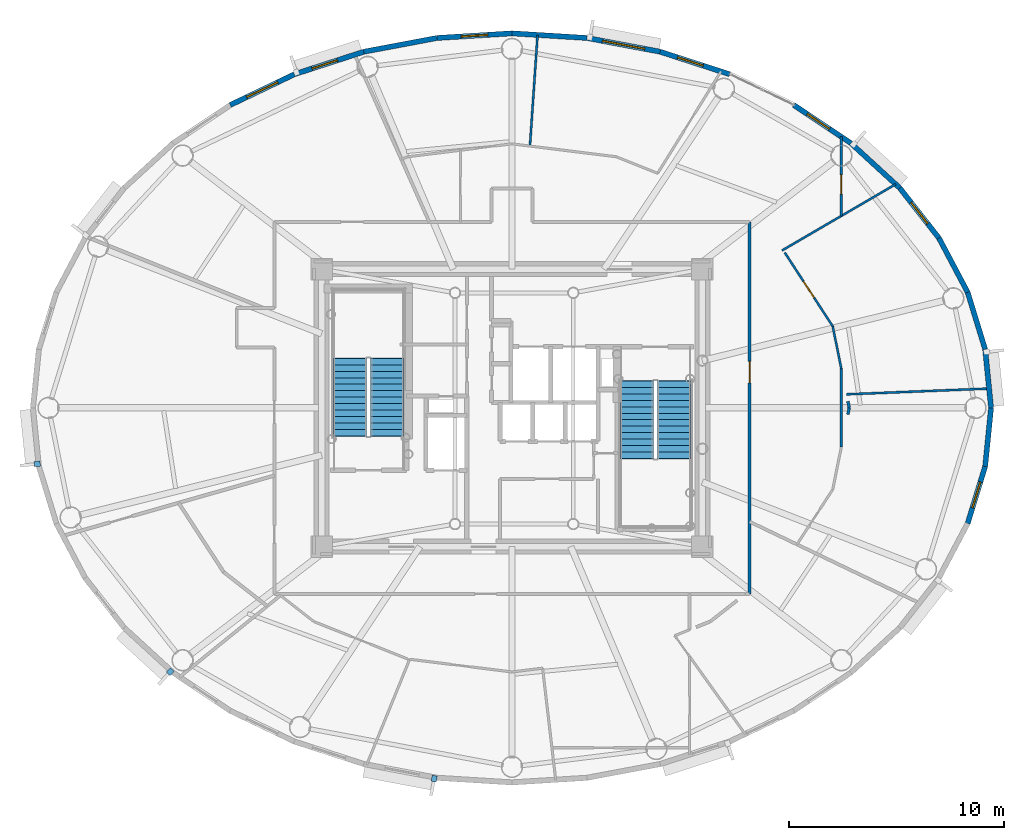
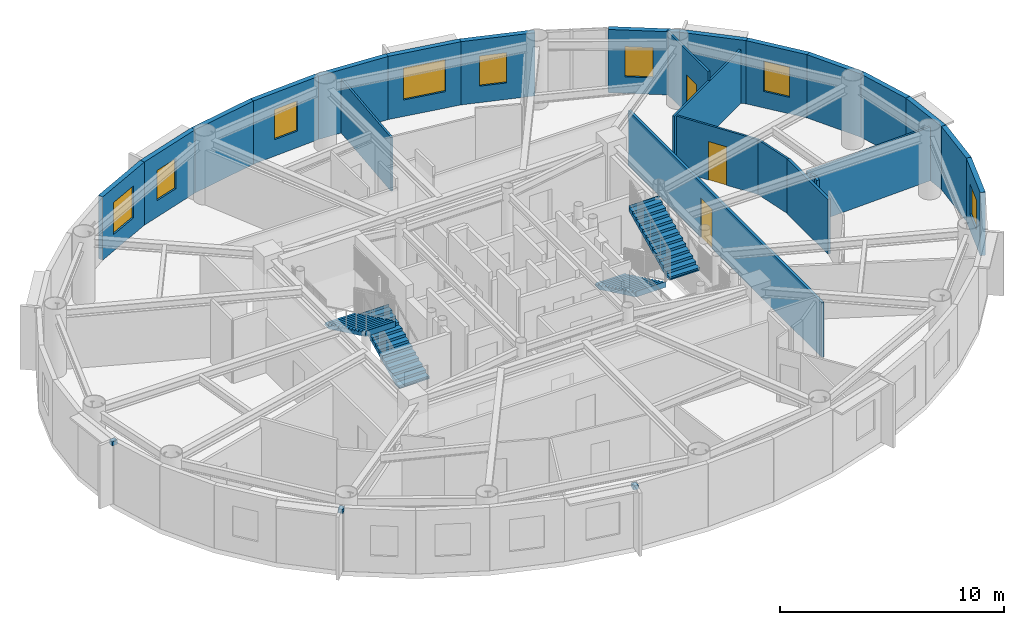
# One storey, part 10 of 17: 25 walls, 8 windows, 4 stair flights, 3 discrete accessories, 3 doors, 11 openings, 2 elements without a shape of their own.
"""IFC4 building model written with IfcOpenShell, lengths in metres."""

from ifc_helpers import new_model, si_unit, direction, frame, frame_2d, origin, origin_2d, place, context, subcontext, project, spatial, polyline, rectangle, outline, extrude, source, transform, mapped, material, layer, layer_set, type_object, element, fill, aggregate, save


model = new_model("IFC4")

# Units and contexts
model_context = context("Model", 3, precision=1e-05, world=origin(), true_north=direction((0.0, 1.0)))
body_context = subcontext(model_context, "Body", "Model", "MODEL_VIEW")
ifc_project = project(units=[si_unit("LENGTHUNIT", "METRE"), si_unit("AREAUNIT", "SQUARE_METRE"), si_unit("VOLUMEUNIT", "CUBIC_METRE"), si_unit("PLANEANGLEUNIT", "RADIAN"), si_unit("MASSUNIT", "GRAM", prefix="KILO")], contexts=[model_context])

# Site, building, storey
site_placement = place(None, origin())
site = spatial("IfcSite", under=ifc_project, at=site_placement, CompositionType="ELEMENT")
building_placement = place(site_placement, origin())
building = spatial("IfcBuilding", under=site, at=building_placement, Name="Linh Dai School and Residence Tower", CompositionType="ELEMENT")
storey_placement = place(building_placement, frame((0.0, 0.0, 314.25)))
storey = spatial("IfcBuildingStorey", under=building, at=storey_placement, Name="L78", CompositionType="ELEMENT", Elevation=314.25)

# Walls
ifc_material_1 = material(Name="Precast Concrete B45 (C35/45)", Category="concrete")
ifc_layer_1 = layer(ifc_material_1, 0.239990234375)
ifc_layer_set_1 = layer_set([ifc_layer_1], Name="Precast Concrete B45 (C35/45)")
wall_type_1 = type_object("IfcWallType", Name="EW-TC-240", PredefinedType="SOLIDWALL", material=ifc_layer_set_1)
wall_1_placement = place(storey_placement, frame((58.001708984375, 29.718994140625, 0.0), z_axis=(0.0, 0.0, 1.0), x_axis=(0.099972526841, -0.99499019788, 0.0)))
element("IfcWall", 1, at=wall_1_placement, inside=storey, type_object=wall_type_1, Name="L78 Terracotta Exterior Wall 01", PredefinedType="SOLIDWALL", context=body_context, shape_type="SweptSolid", body=[
    extrude(rectangle(XDim=2.732666015625, YDim=0.239990234375, at=frame_2d((1.3662109375, 0.0))), origin(), (0.0, 0.0, 1.0), 3.449951171875),
])
wall_2_placement = place(storey_placement, frame((57.188232421875, 32.372314453125, 0.0), z_axis=(0.0, 0.0, 1.0), x_axis=(0.2931213403, -0.956075248012, 0.0)))
element("IfcWall", 2, at=wall_2_placement, inside=storey, type_object=wall_type_1, Name="L78 Terracotta Exterior Wall 02", PredefinedType="SOLIDWALL", context=body_context, shape_type="SweptSolid", body=[
    extrude(rectangle(XDim=2.775146484375, YDim=0.239990234375, at=frame_2d((1.3876953125, 0.0))), origin(), (0.0, 0.0, 1.0), 3.449951171875),
])
wall_3_placement = place(storey_placement, frame((55.853759765625, 34.894775390625, 0.0), z_axis=(0.0, 0.0, 1.0), x_axis=(0.467628269026, -0.883925224218, 0.0)))
element("IfcWall", 3, at=wall_3_placement, inside=storey, type_object=wall_type_1, Name="L78 Terracotta Exterior Wall 03", PredefinedType="SOLIDWALL", context=body_context, shape_type="SweptSolid", body=[
    extrude(rectangle(XDim=2.853759765625, YDim=0.239990234375, at=frame_2d((1.4267578125, 0.0))), origin(), (0.0, 0.0, 1.0), 3.449951171875),
])

# Wall, opening, window
wall_4_placement = place(storey_placement, frame((54.0302734375, 37.224609375, 0.0), z_axis=(0.0, 0.0, 1.0), x_axis=(0.616337186556, -0.787482363275, 0.0)))
wall_4 = element("IfcWall", 4, at=wall_4_placement, inside=storey, type_object=wall_type_1, Name="L78 Terracotta Exterior Wall 04", PredefinedType="SOLIDWALL", context=body_context, shape_type="SweptSolid", body=[
    extrude(rectangle(XDim=2.95849609375, YDim=0.239990234375, at=frame_2d((1.479248046875, 0.0))), origin(), (0.0, 0.0, 1.0), 3.449951171875),
])
opening_1_placement = place(wall_4_placement, frame((0.85400390625, 0.0, 0.89990234375)))
opening_1 = element("IfcOpeningElement", 5, at=opening_1_placement, cuts=wall_4, Name="Opening W3", PredefinedType="OPENING", context=body_context, shape_type="SweptSolid", body=[
    extrude(rectangle(XDim=1.25, YDim=1.64990234375, at=origin_2d()), frame((0.625, 0.1298828125, 0.824951171875), z_axis=(0.0, -1.0, 0.0), x_axis=(1.0, 0.0, 0.0)), (0.0, 0.0, 1.0), 0.260009765625),
])
ifc_material_2 = material(Name="Double Low-E Insulated Glazing", Category="glass")
window_type_1 = type_object("IfcWindowType", Name="WN-RES-1250x1650", PartitioningType="SINGLE_PANEL", PredefinedType="WINDOW", material=ifc_material_2)
shared_shape_1 = source(origin(), body_context, "Body", "SweptSolid", [
    extrude(rectangle(XDim=1.25, YDim=1.64990234375, at=origin_2d()), frame((0.625, 0.030029296875, 0.824951171875), z_axis=(0.0, -1.0, 0.0), x_axis=(1.0, 0.0, 0.0)), (0.0, 0.0, 1.0), 0.06005859375),
])
window_1_placement = place(opening_1_placement, origin())
window_1 = element("IfcWindow", 6, at=window_1_placement, inside=storey, type_object=window_type_1, Name="L78 Exterior Window 04.1", OverallHeight=1.64990234375, OverallWidth=1.25, PartitioningType="SINGLE_PANEL", PredefinedType="WINDOW", context=body_context, shape_type="MappedRepresentation", body=[
    mapped(shared_shape_1, transform((0.0, 0.0, 0.0), x_axis=(1.0, 0.0, 0.0), y_axis=(0.0, 1.0, 0.0), z_axis=(0.0, 0.0, 1.0), scale=1.0)),
])
fill(opening_1, window_1)

# Wall
wall_5_placement = place(storey_placement, frame((51.76220703125, 39.30419921875, 0.0), z_axis=(0.0, 0.0, 1.0), x_axis=(0.737068506972, -0.675818034703, 0.0)))
element("IfcWall", 7, at=wall_5_placement, inside=storey, type_object=wall_type_1, Name="L78 Terracotta Exterior Wall 05", PredefinedType="SOLIDWALL", context=body_context, shape_type="SweptSolid", body=[
    extrude(rectangle(XDim=3.0771484375, YDim=0.239990234375, at=frame_2d((1.53857421875, 0.0))), origin(), (0.0, 0.0, 1.0), 3.449951171875),
])

# Wall, opening, window
wall_6_placement = place(storey_placement, frame((49.1044921875, 41.08154296875, 0.0), z_axis=(0.0, 0.0, 1.0), x_axis=(0.831250592635, -0.55589787933, 0.0)))
wall_6 = element("IfcWall", 8, at=wall_6_placement, inside=storey, type_object=wall_type_1, Name="L78 Terracotta Exterior Wall 06", PredefinedType="SOLIDWALL", context=body_context, shape_type="SweptSolid", body=[
    extrude(rectangle(XDim=3.197265625, YDim=0.239990234375, at=frame_2d((1.5986328125, 0.0))), origin(), (0.0, 0.0, 1.0), 3.449951171875),
])
opening_2_placement = place(wall_6_placement, frame((0.74853515625, 0.0, 0.89990234375)))
opening_2 = element("IfcOpeningElement", 9, at=opening_2_placement, cuts=wall_6, Name="Opening W3", PredefinedType="OPENING", context=body_context, shape_type="SweptSolid", body=[
    extrude(rectangle(XDim=1.25, YDim=1.64990234375, at=origin_2d()), frame((0.625, 0.1298828125, 0.824951171875), z_axis=(0.0, -1.0, 0.0), x_axis=(1.0, 0.0, 0.0)), (0.0, 0.0, 1.0), 0.260009765625),
])
window_2_placement = place(opening_2_placement, origin())
window_2 = element("IfcWindow", 10, at=window_2_placement, inside=storey, type_object=window_type_1, Name="L78 Exterior Window 06.1", OverallHeight=1.64990234375, OverallWidth=1.25, PartitioningType="SINGLE_PANEL", PredefinedType="WINDOW", context=body_context, shape_type="MappedRepresentation", body=[
    mapped(shared_shape_1, transform((0.0, 0.0, 0.0), x_axis=(1.0, 0.0, 0.0), y_axis=(0.0, 1.0, 0.0), z_axis=(0.0, 0.0, 1.0), scale=1.0)),
])
fill(opening_2, window_2)

wall_7_placement = place(storey_placement, frame((42.89111328125, 43.560302734375, 0.0), z_axis=(0.0, 0.0, 1.0), x_axis=(0.95123136723, -0.308478339592, 0.0)))
wall_7 = element("IfcWall", 11, at=wall_7_placement, inside=storey, type_object=wall_type_1, Name="L78 Terracotta Exterior Wall 08", PredefinedType="SOLIDWALL", context=body_context, shape_type="SweptSolid", body=[
    extrude(rectangle(XDim=3.397705078125, YDim=0.239990234375, at=frame_2d((1.69873046875, 0.0))), origin(), (0.0, 0.0, 1.0), 3.449951171875),
])
opening_3_placement = place(wall_7_placement, frame((0.847900390625, 0.0, 0.89990234375)))
opening_3 = element("IfcOpeningElement", 12, at=opening_3_placement, cuts=wall_7, Name="Opening W3", PredefinedType="OPENING", context=body_context, shape_type="SweptSolid", body=[
    extrude(rectangle(XDim=1.25, YDim=1.64990234375, at=origin_2d()), frame((0.625, 0.1298828125, 0.824951171875), z_axis=(0.0, -1.0, 0.0), x_axis=(1.0, 0.0, 0.0)), (0.0, 0.0, 1.0), 0.260009765625),
])
window_3_placement = place(opening_3_placement, origin())
window_3 = element("IfcWindow", 13, at=window_3_placement, inside=storey, type_object=window_type_1, Name="L78 Exterior Window 08.1", OverallHeight=1.64990234375, OverallWidth=1.25, PartitioningType="SINGLE_PANEL", PredefinedType="WINDOW", context=body_context, shape_type="MappedRepresentation", body=[
    mapped(shared_shape_1, transform((0.0, 0.0, 0.0), x_axis=(1.0, 0.0, 0.0), y_axis=(0.0, 1.0, 0.0), z_axis=(0.0, 0.0, 1.0), scale=1.0)),
])
fill(opening_3, window_3)

wall_8_placement = place(storey_placement, frame((39.48876953125, 44.199951171875, 0.0), z_axis=(0.0, 0.0, 1.0), x_axis=(0.982782655757, -0.184765395959, 0.0)))
wall_8 = element("IfcWall", 14, at=wall_8_placement, inside=storey, type_object=wall_type_1, Name="L78 Terracotta Exterior Wall 09", PredefinedType="SOLIDWALL", context=body_context, shape_type="SweptSolid", body=[
    extrude(rectangle(XDim=3.4619140625, YDim=0.239990234375, at=frame_2d((1.73095703125, 0.0))), origin(), (0.0, 0.0, 1.0), 3.449951171875),
])
opening_4_placement = place(wall_8_placement, frame((0.73095703125, 0.0, 0.89990234375)))
opening_4 = element("IfcOpeningElement", 15, at=opening_4_placement, cuts=wall_8, Name="Opening W1", PredefinedType="OPENING", context=body_context, shape_type="SweptSolid", body=[
    extrude(rectangle(XDim=2.0, YDim=1.75, at=origin_2d()), frame((1.0, 0.1298828125, 0.875), z_axis=(0.0, -1.0, 0.0), x_axis=(1.0, 0.0, 0.0)), (0.0, 0.0, 1.0), 0.260009765625),
])
window_type_2 = type_object("IfcWindowType", Name="WN-RES-2000x1750", PartitioningType="DOUBLE_PANEL_VERTICAL", PredefinedType="WINDOW", material=ifc_material_2)
shared_shape_2 = source(origin(), body_context, "Body", "SweptSolid", [
    extrude(rectangle(XDim=2.0, YDim=1.75, at=origin_2d()), frame((1.0, 0.030029296875, 0.875), z_axis=(0.0, -1.0, 0.0), x_axis=(1.0, 0.0, 0.0)), (0.0, 0.0, 1.0), 0.06005859375),
])
window_4_placement = place(opening_4_placement, origin())
window_4 = element("IfcWindow", 16, at=window_4_placement, inside=storey, type_object=window_type_2, Name="L78 Exterior Window 09.1", OverallHeight=1.75, OverallWidth=2.0, PartitioningType="DOUBLE_PANEL_VERTICAL", PredefinedType="WINDOW", context=body_context, shape_type="MappedRepresentation", body=[
    mapped(shared_shape_2, transform((0.0, 0.0, 0.0), x_axis=(1.0, 0.0, 0.0), y_axis=(0.0, 1.0, 0.0), z_axis=(0.0, 0.0, 1.0), scale=1.0)),
])
fill(opening_4, window_4)

# Wall
wall_9_placement = place(storey_placement, frame((36.0, 44.4150390625, 0.0), z_axis=(0.0, 0.0, 1.0), x_axis=(0.998104946479, -0.061534671648, 0.0)))
element("IfcWall", 17, at=wall_9_placement, inside=storey, type_object=wall_type_1, Name="L78 Terracotta Exterior Wall 10", PredefinedType="SOLIDWALL", context=body_context, shape_type="SweptSolid", body=[
    extrude(rectangle(XDim=3.495361328125, YDim=0.239990234375, at=frame_2d((1.74755859375, 0.0))), origin(), (0.0, 0.0, 1.0), 3.449951171875),
])

# Wall, opening, window
wall_10_placement = place(storey_placement, frame((32.51123046875, 44.199951171875, 0.0), z_axis=(0.0, 0.0, 1.0), x_axis=(0.998104946479, 0.061534671648, 0.0)))
wall_10 = element("IfcWall", 18, at=wall_10_placement, inside=storey, type_object=wall_type_1, Name="L78 Terracotta Exterior Wall 11", PredefinedType="SOLIDWALL", context=body_context, shape_type="SweptSolid", body=[
    extrude(rectangle(XDim=3.495361328125, YDim=0.239990234375, at=frame_2d((1.74755859375, 0.0))), origin(), (0.0, 0.0, 1.0), 3.449951171875),
])
opening_5_placement = place(wall_10_placement, frame((1.122802734375, 0.0, 0.89990234375)))
opening_5 = element("IfcOpeningElement", 19, at=opening_5_placement, cuts=wall_10, Name="Opening W3", PredefinedType="OPENING", context=body_context, shape_type="SweptSolid", body=[
    extrude(rectangle(XDim=1.25, YDim=1.64990234375, at=origin_2d()), frame((0.625, 0.1298828125, 0.824951171875), z_axis=(0.0, -1.0, 0.0), x_axis=(1.0, 0.0, 0.0)), (0.0, 0.0, 1.0), 0.260009765625),
])
window_5_placement = place(opening_5_placement, origin())
window_5 = element("IfcWindow", 20, at=window_5_placement, inside=storey, type_object=window_type_1, Name="L78 Dwelling Window U7802-BD4", OverallHeight=1.64990234375, OverallWidth=1.25, PartitioningType="SINGLE_PANEL", PredefinedType="WINDOW", context=body_context, shape_type="MappedRepresentation", body=[
    mapped(shared_shape_1, transform((0.0, 0.0, 0.0), x_axis=(1.0, 0.0, 0.0), y_axis=(0.0, 1.0, 0.0), z_axis=(0.0, 0.0, 1.0), scale=1.0)),
])
fill(opening_5, window_5)

# Wall
wall_11_placement = place(storey_placement, frame((29.10888671875, 43.560302734375, 0.0), z_axis=(0.0, 0.0, 1.0), x_axis=(0.982782655757, 0.184765395959, 0.0)))
element("IfcWall", 21, at=wall_11_placement, inside=storey, type_object=wall_type_1, Name="L78 Terracotta Exterior Wall 12", PredefinedType="SOLIDWALL", context=body_context, shape_type="SweptSolid", body=[
    extrude(rectangle(XDim=3.4619140625, YDim=0.239990234375, at=frame_2d((1.73095703125, 0.0))), origin(), (0.0, 0.0, 1.0), 3.449951171875),
])

# Wall, opening, window
wall_12_placement = place(storey_placement, frame((25.876953125, 42.51220703125, 0.0), z_axis=(0.0, 0.0, 1.0), x_axis=(0.95123136723, 0.308478339592, 0.0)))
wall_12 = element("IfcWall", 22, at=wall_12_placement, inside=storey, type_object=wall_type_1, Name="L78 Terracotta Exterior Wall 13", PredefinedType="SOLIDWALL", context=body_context, shape_type="SweptSolid", body=[
    extrude(rectangle(XDim=3.397705078125, YDim=0.239990234375, at=frame_2d((1.69873046875, 0.0))), origin(), (0.0, 0.0, 1.0), 3.449951171875),
])
opening_6_placement = place(wall_12_placement, frame((0.86328125, 0.0, 0.89990234375)))
opening_6 = element("IfcOpeningElement", 23, at=opening_6_placement, cuts=wall_12, Name="Opening W3", PredefinedType="OPENING", context=body_context, shape_type="SweptSolid", body=[
    extrude(rectangle(XDim=1.25, YDim=1.64990234375, at=origin_2d()), frame((0.625, 0.1298828125, 0.824951171875), z_axis=(0.0, -1.0, 0.0), x_axis=(1.0, 0.0, 0.0)), (0.0, 0.0, 1.0), 0.260009765625),
])
window_6_placement = place(opening_6_placement, origin())
window_6 = element("IfcWindow", 24, at=window_6_placement, inside=storey, type_object=window_type_1, Name="L78 Exterior Window 13.1", OverallHeight=1.64990234375, OverallWidth=1.25, PartitioningType="SINGLE_PANEL", PredefinedType="WINDOW", context=body_context, shape_type="MappedRepresentation", body=[
    mapped(shared_shape_1, transform((0.0, 0.0, 0.0), x_axis=(1.0, 0.0, 0.0), y_axis=(0.0, 1.0, 0.0), z_axis=(0.0, 0.0, 1.0), scale=1.0)),
])
fill(opening_6, window_6)

wall_13_placement = place(storey_placement, frame((22.8955078125, 41.08154296875, 0.0), z_axis=(0.0, 0.0, 1.0), x_axis=(0.901573741254, 0.43262546051, 0.0)))
wall_13 = element("IfcWall", 25, at=wall_13_placement, inside=storey, type_object=wall_type_1, Name="L78 Terracotta Exterior Wall 14", PredefinedType="SOLIDWALL", context=body_context, shape_type="SweptSolid", body=[
    extrude(rectangle(XDim=3.306884765625, YDim=0.239990234375, at=frame_2d((1.6533203125, 0.0))), origin(), (0.0, 0.0, 1.0), 3.449951171875),
])
opening_7_placement = place(wall_13_placement, frame((0.853515625, 0.0, 0.89990234375)))
opening_7 = element("IfcOpeningElement", 26, at=opening_7_placement, cuts=wall_13, Name="Opening W2", PredefinedType="OPENING", context=body_context, shape_type="SweptSolid", body=[
    extrude(rectangle(XDim=1.60009765625, YDim=1.75, at=origin_2d()), frame((0.800048828125, 0.1298828125, 0.875), z_axis=(0.0, -1.0, 0.0), x_axis=(1.0, 0.0, 0.0)), (0.0, 0.0, 1.0), 0.260009765625),
])
window_type_3 = type_object("IfcWindowType", Name="WN-RES-1600x1750", PartitioningType="DOUBLE_PANEL_VERTICAL", PredefinedType="WINDOW", material=ifc_material_2)
shared_shape_3 = source(origin(), body_context, "Body", "SweptSolid", [
    extrude(rectangle(XDim=1.60009765625, YDim=1.75, at=origin_2d()), frame((0.800048828125, 0.030029296875, 0.875), z_axis=(0.0, -1.0, 0.0), x_axis=(1.0, 0.0, 0.0)), (0.0, 0.0, 1.0), 0.06005859375),
])
window_7_placement = place(opening_7_placement, origin())
window_7 = element("IfcWindow", 27, at=window_7_placement, inside=storey, type_object=window_type_3, Name="L78 Exterior Window 14.1", OverallHeight=1.75, OverallWidth=1.60009765625, PartitioningType="DOUBLE_PANEL_VERTICAL", PredefinedType="WINDOW", context=body_context, shape_type="MappedRepresentation", body=[
    mapped(shared_shape_3, transform((0.0, 0.0, 0.0), x_axis=(1.0, 0.0, 0.0), y_axis=(0.0, 1.0, 0.0), z_axis=(0.0, 0.0, 1.0), scale=1.0)),
])
fill(opening_7, window_7)

wall_14_placement = place(storey_placement, frame((58.001708984375, 24.281005859375, 0.0), z_axis=(0.0, 0.0, 1.0), x_axis=(-0.2931213403, -0.956075248012, 0.0)))
wall_14 = element("IfcWall", 28, at=wall_14_placement, inside=storey, type_object=wall_type_1, Name="L78 Terracotta Exterior Wall 39", PredefinedType="SOLIDWALL", context=body_context, shape_type="SweptSolid", body=[
    extrude(rectangle(XDim=2.775146484375, YDim=0.239990234375, at=frame_2d((1.3876953125, 0.0))), origin(), (0.0, 0.0, 1.0), 3.449951171875),
])
opening_8_placement = place(wall_14_placement, frame((0.7626953125, 0.0, 0.89990234375)))
opening_8 = element("IfcOpeningElement", 29, at=opening_8_placement, cuts=wall_14, Name="Opening W3", PredefinedType="OPENING", context=body_context, shape_type="SweptSolid", body=[
    extrude(rectangle(XDim=1.25, YDim=1.64990234375, at=origin_2d()), frame((0.625, 0.1298828125, 0.824951171875), z_axis=(0.0, -1.0, 0.0), x_axis=(1.0, 0.0, 0.0)), (0.0, 0.0, 1.0), 0.260009765625),
])
window_8_placement = place(opening_8_placement, origin())
window_8 = element("IfcWindow", 30, at=window_8_placement, inside=storey, type_object=window_type_1, Name="L78 Exterior Window 39.1", OverallHeight=1.64990234375, OverallWidth=1.25, PartitioningType="SINGLE_PANEL", PredefinedType="WINDOW", context=body_context, shape_type="MappedRepresentation", body=[
    mapped(shared_shape_1, transform((0.0, 0.0, 0.0), x_axis=(1.0, 0.0, 0.0), y_axis=(0.0, 1.0, 0.0), z_axis=(0.0, 0.0, 1.0), scale=1.0)),
])
fill(opening_8, window_8)

# Wall
wall_15_placement = place(storey_placement, frame((58.27490234375, 27.0, 0.0), z_axis=(0.0, 0.0, 1.0), x_axis=(-0.099972526841, -0.99499019788, 0.0)))
element("IfcWall", 31, at=wall_15_placement, inside=storey, type_object=wall_type_1, Name="L78 Terracotta Exterior Wall 40", PredefinedType="SOLIDWALL", context=body_context, shape_type="SweptSolid", body=[
    extrude(rectangle(XDim=2.732666015625, YDim=0.239990234375, at=frame_2d((1.3662109375, 0.0))), origin(), (0.0, 0.0, 1.0), 3.449951171875),
])

# Wall, opening, door
ifc_material_3 = material(Name="Autoclaved Aerated Concrete Blockwork", Category="masonry")
ifc_layer_2 = layer(ifc_material_3, 0.135009765625)
ifc_layer_set_2 = layer_set([ifc_layer_2], Name="Autoclaved Aerated Concrete Blockwork")
wall_type_2 = type_object("IfcWallType", Name="IW-CORR-135-EI90", PredefinedType="PARTITIONING", material=ifc_layer_set_2)
wall_16_placement = place(storey_placement, frame((47.050048828125, 18.35009765625, 0.0), z_axis=(0.0, 0.0, 1.0), x_axis=(0.0, 1.0, 0.0)))
wall_16 = element("IfcWall", 32, at=wall_16_placement, inside=storey, type_object=wall_type_2, Name="L78 Interior Partition Wall 066", PredefinedType="PARTITIONING", context=body_context, shape_type="SweptSolid", body=[
    extrude(rectangle(XDim=17.2998046875, YDim=0.135009765625, at=frame_2d((8.64990234375, 0.0))), origin(), (0.0, 0.0, 1.0), 2.985107421875),
])
opening_9_placement = place(wall_16_placement, frame((9.80810546875, 0.0, 0.0)))
opening_9 = element("IfcOpeningElement", 33, at=opening_9_placement, cuts=wall_16, Name="Opening D03", PredefinedType="OPENING", context=body_context, shape_type="SweptSolid", body=[
    extrude(rectangle(XDim=1.0, YDim=2.14990234375, at=origin_2d()), frame((0.5, 0.07763671875, 1.074951171875), z_axis=(0.0, -1.0, 0.0), x_axis=(1.0, 0.0, 0.0)), (0.0, 0.0, 1.0), 0.155029296875),
])
ifc_material_4 = material(Name="Fire-Rated Solid Timber Entrance Door", Category="wood")
door_type_1 = type_object("IfcDoorType", Name="DR-FLAT-1000x2150-FD60S", OperationType="NOTDEFINED", PredefinedType="DOOR", material=ifc_material_4)
shared_shape_4 = source(origin(), body_context, "Body", "SweptSolid", [
    extrude(rectangle(XDim=1.0, YDim=2.14990234375, at=origin_2d()), frame((0.5, 0.02490234375, 1.074951171875), z_axis=(0.0, -1.0, 0.0), x_axis=(1.0, 0.0, 0.0)), (0.0, 0.0, 1.0), 0.050048828125),
])
door_1_placement = place(opening_9_placement, origin())
door_1 = element("IfcDoor", 34, at=door_1_placement, inside=storey, type_object=door_type_1, Name="L78 U7802 Apartment Entrance Door", OperationType="SINGLE_SWING_RIGHT", OverallHeight=2.14990234375, OverallWidth=1.0, PredefinedType="DOOR", context=body_context, shape_type="MappedRepresentation", body=[
    mapped(shared_shape_4, transform((0.0, 0.0, 0.0), x_axis=(1.0, 0.0, 0.0), y_axis=(0.0, 1.0, 0.0), z_axis=(0.0, 0.0, 1.0), scale=1.0)),
])
fill(opening_9, door_1)

# Walls
wall_17_placement = place(storey_placement, frame((51.311279296875, 28.822509765625, 0.0), z_axis=(0.0, 0.0, 1.0), x_axis=(0.0, -1.0, 0.0)))
element("IfcWall", 35, at=wall_17_placement, inside=storey, type_object=wall_type_2, Name="L78 Interior Partition Wall 089", PredefinedType="PARTITIONING", context=body_context, shape_type="SweptSolid", body=[
    extrude(rectangle(XDim=3.64501953125, YDim=0.135009765625, at=frame_2d((1.822509765625, 0.0))), origin(), (0.0, 0.0, 1.0), 2.985107421875),
])
for number, where, z_axis, x_axis, name in (
    (36, (51.618896484375, 26.69775390625, 0.0), (0.0, 0.0, 1.0), (0.197942960462, 0.980213540206, 0.0), "L78 Interior Partition Wall 090"),
    (37, (51.679931640625, 27.0, 0.0), (0.0, 0.0, 1.0), (-0.197942960462, 0.980213540206, 0.0), "L78 Interior Partition Wall 091"),
):
    element("IfcWall", number, at=place(storey_placement, frame(where, z_axis=z_axis, x_axis=x_axis)), inside=storey, type_object=wall_type_2, Name=name, PredefinedType="PARTITIONING", context=body_context, shape_type="SweptSolid", body=[
        extrude(rectangle(XDim=0.308349609375, YDim=0.135009765625, at=frame_2d((0.154296875, 0.0))), origin(), (0.0, 0.0, 1.0), 2.985107421875),
    ])
ifc_material_5 = material(Name="Gypsum Plasterboard Acoustic Stud Partition", Category="masonry")
ifc_layer_3 = layer(ifc_material_5, 0.10009765625)
ifc_layer_set_3 = layer_set([ifc_layer_3], Name="Gypsum Plasterboard Acoustic Stud Partition")
wall_type_3 = type_object("IfcWallType", Name="IW-UNIT-100", PredefinedType="PARTITIONING", material=ifc_layer_set_3)
wall_18_placement = place(storey_placement, frame((36.834228515625, 39.174560546875, 0.0), z_axis=(0.0, 0.0, 1.0), x_axis=(0.068331768218, 0.997662653131, 0.0)))
element("IfcWall", 38, at=wall_18_placement, inside=storey, type_object=wall_type_3, Name="L78 Interior Partition Wall 046", PredefinedType="PARTITIONING", context=body_context, shape_type="SweptSolid", body=[
    extrude(rectangle(XDim=5.184326171875, YDim=0.10009765625, at=frame_2d((2.59228515625, 0.0))), origin(), (0.0, 0.0, 1.0), 2.93505859375),
])
wall_19_placement = place(storey_placement, frame((48.554931640625, 34.319091796875, 0.0), z_axis=(0.0, 0.0, 1.0), x_axis=(0.863923501635, 0.503623056783, 0.0)))
element("IfcWall", 39, at=wall_19_placement, inside=storey, type_object=wall_type_3, Name="L78 Interior Partition Wall 068", PredefinedType="PARTITIONING", context=body_context, shape_type="SweptSolid", body=[
    extrude(rectangle(XDim=6.1220703125, YDim=0.10009765625, at=frame_2d((3.06103515625, 0.0))), origin(), (0.0, 0.0, 1.0), 2.93505859375),
])

# Wall, opening, door
wall_20_placement = place(storey_placement, frame((48.685302734375, 34.216796875, 0.0), z_axis=(0.0, 0.0, 1.0), x_axis=(0.545435886628, -0.838152547916, 0.0)))
wall_20 = element("IfcWall", 40, at=wall_20_placement, inside=storey, type_object=wall_type_3, Name="L78 Interior Partition Wall 069", PredefinedType="PARTITIONING", context=body_context, shape_type="SweptSolid", body=[
    extrude(rectangle(XDim=4.08349609375, YDim=0.10009765625, at=frame_2d((2.041748046875, 0.0))), origin(), (0.0, 0.0, 1.0), 2.985107421875),
])
opening_10_placement = place(wall_20_placement, frame((1.591796875, 0.0, 0.0)))
opening_10 = element("IfcOpeningElement", 41, at=opening_10_placement, cuts=wall_20, Name="Opening D05", PredefinedType="OPENING", context=body_context, shape_type="SweptSolid", body=[
    extrude(rectangle(XDim=0.89990234375, YDim=2.10009765625, at=origin_2d()), frame((0.449951171875, 0.06005859375, 1.050048828125), z_axis=(0.0, -1.0, 0.0), x_axis=(1.0, 0.0, 0.0)), (0.0, 0.0, 1.0), 0.1201171875),
])
ifc_material_6 = material(Name="Engineered Timber Internal Door", Category="wood")
door_type_2 = type_object("IfcDoorType", Name="DR-INT-900x2100", OperationType="NOTDEFINED", PredefinedType="DOOR", material=ifc_material_6)
shared_shape_5 = source(origin(), body_context, "Body", "SweptSolid", [
    extrude(rectangle(XDim=0.89990234375, YDim=2.10009765625, at=origin_2d()), frame((0.449951171875, 0.02490234375, 1.050048828125), z_axis=(0.0, -1.0, 0.0), x_axis=(1.0, 0.0, 0.0)), (0.0, 0.0, 1.0), 0.050048828125),
])
door_2_placement = place(opening_10_placement, origin())
door_2 = element("IfcDoor", 42, at=door_2_placement, inside=storey, type_object=door_type_2, Name="L78 Apartment U7802 Principal Bedroom 2 Door", OperationType="SINGLE_SWING_RIGHT", OverallHeight=2.10009765625, OverallWidth=0.89990234375, PredefinedType="DOOR", context=body_context, shape_type="MappedRepresentation", body=[
    mapped(shared_shape_5, transform((0.0, 0.0, 0.0), x_axis=(1.0, 0.0, 0.0), y_axis=(0.0, 1.0, 0.0), z_axis=(0.0, 0.0, 1.0), scale=1.0)),
])
fill(opening_10, door_2)

# Wall
wall_21_placement = place(storey_placement, frame((50.91259765625, 30.794189453125, 0.0), z_axis=(0.0, 0.0, 1.0), x_axis=(0.198192944621, -0.980163025574, 0.0)))
element("IfcWall", 43, at=wall_21_placement, inside=storey, type_object=wall_type_3, Name="L78 Interior Partition Wall 072", PredefinedType="PARTITIONING", context=body_context, shape_type="SweptSolid", body=[
    extrude(rectangle(XDim=2.011474609375, YDim=0.10009765625, at=frame_2d((1.005859375, 0.0))), origin(), (0.0, 0.0, 1.0), 2.985107421875),
])

# Wall, opening, door
wall_22_placement = place(storey_placement, frame((51.311279296875, 35.926025390625, 0.0), z_axis=(0.0, 0.0, 1.0), x_axis=(0.0, 1.0, 0.0)))
wall_22 = element("IfcWall", 44, at=wall_22_placement, inside=storey, type_object=wall_type_3, Name="L78 Interior Partition Wall 073", PredefinedType="PARTITIONING", context=body_context, shape_type="SweptSolid", body=[
    extrude(rectangle(XDim=3.685546875, YDim=0.10009765625, at=frame_2d((1.8427734375, 0.0))), origin(), (0.0, 0.0, 1.0), 3.449951171875),
])
opening_11_placement = place(wall_22_placement, frame((1.010986328125, 0.0, 0.0)))
opening_11 = element("IfcOpeningElement", 45, at=opening_11_placement, cuts=wall_22, Name="Opening D05", PredefinedType="OPENING", context=body_context, shape_type="SweptSolid", body=[
    extrude(rectangle(XDim=0.89990234375, YDim=2.10009765625, at=origin_2d()), frame((0.449951171875, 0.06005859375, 1.050048828125), z_axis=(0.0, -1.0, 0.0), x_axis=(1.0, 0.0, 0.0)), (0.0, 0.0, 1.0), 0.1201171875),
])
door_3_placement = place(opening_11_placement, origin())
door_3 = element("IfcDoor", 46, at=door_3_placement, inside=storey, type_object=door_type_2, Name="L78 Apartment U7802 Kitchen Door", OperationType="SINGLE_SWING_RIGHT", OverallHeight=2.10009765625, OverallWidth=0.89990234375, PredefinedType="DOOR", context=body_context, shape_type="MappedRepresentation", body=[
    mapped(shared_shape_5, transform((0.0, 0.0, 0.0), x_axis=(1.0, 0.0, 0.0), y_axis=(0.0, 1.0, 0.0), z_axis=(0.0, 0.0, 1.0), scale=1.0)),
])
fill(opening_11, door_3)

# Wall
wall_23_placement = place(storey_placement, frame((51.552490234375, 27.63037109375, 0.0), z_axis=(0.0, 0.0, 1.0), x_axis=(0.999179444864, 0.040502308109, 0.0)))
element("IfcWall", 47, at=wall_23_placement, inside=storey, type_object=wall_type_3, Name="L78 Interior Partition Wall 074", PredefinedType="PARTITIONING", context=body_context, shape_type="SweptSolid", body=[
    extrude(rectangle(XDim=6.642578125, YDim=0.10009765625, at=frame_2d((3.3212890625, 0.0))), origin(), (0.0, 0.0, 1.0), 2.93505859375),
])

# Stair, stair flights
ifc_material_7 = material(Name="Concrete B45 (C35/45)", Category="concrete")
stair_type = type_object("IfcStairType", Name="ST-DOG-1550-R1442", PredefinedType="HALF_TURN_STAIR", material=ifc_material_7)
stair_1_placement = place(storey_placement, origin())
stair_1 = element("IfcStair", 48, at=stair_1_placement, inside=storey, type_object=stair_type, Name="L78 Core Smokeproof Exit Stair ST1", PredefinedType="HALF_TURN_STAIR")
stair_flight_type = type_object("IfcStairFlightType", Name="STF-STR-1550-R1442", PredefinedType="STRAIGHT", material=ifc_material_7)
shared_shape_6 = source(origin(), body_context, "Body", "SweptSolid", [
    extrude(outline(polyline([(-0.02490234375, 0.0), (-0.02490234375, 0.06005859375), (0.0, 0.06005859375), (0.0, 0.144287109375), (0.300048828125, 0.144287109375), (0.300048828125, 0.28857421875), (0.60009765625, 0.28857421875), (0.60009765625, 0.4326171875), (0.89990234375, 0.4326171875), (0.89990234375, 0.576904296875), (1.199951171875, 0.576904296875), (1.199951171875, 0.72119140625), (1.5, 0.72119140625), (1.5, 0.865478515625), (1.800048828125, 0.865478515625), (1.800048828125, 1.009521484375), (2.10009765625, 1.009521484375), (2.10009765625, 1.15380859375), (2.39990234375, 1.15380859375), (2.39990234375, 1.298095703125), (2.699951171875, 1.298095703125), (2.699951171875, 1.4423828125), (3.0, 1.4423828125), (3.0, 1.58642578125), (3.300048828125, 1.58642578125), (3.300048828125, 1.730712890625), (3.60009765625, 1.730712890625), (3.60009765625, 1.875), (3.625, 1.875), (3.625, 1.564453125), (3.60009765625, 1.564453125), (0.345947265625, 0.0), (-0.02490234375, 0.0)])), frame((0.0, 0.77490234375, 0.0), z_axis=(0.0, -1.0, 0.0), x_axis=(1.0, 0.0, 0.0)), (0.0, 0.0, 1.0), 1.550048828125),
])
stair_flight_1_placement = place(storey_placement, frame((30.205078125, 25.699951171875, 0.0), z_axis=(0.0, 0.0, 1.0), x_axis=(0.0, 1.0, 0.0)))
stair_flight_1 = element("IfcStairFlight", 49, at=stair_flight_1_placement, type_object=stair_flight_type, Name="ST1 flight 1", NumberOfRisers=13, NumberOfTreads=12, PredefinedType="STRAIGHT", RiserHeight=0.144230769, TreadLength=0.3, context=body_context, shape_type="MappedRepresentation", body=[
    mapped(shared_shape_6, transform((0.0, 0.0, 0.0), x_axis=(1.0, 0.0, 0.0), y_axis=(0.0, 1.0, 0.0), z_axis=(0.0, 0.0, 1.0), scale=1.0)),
])
stair_flight_2_placement = place(storey_placement, frame((28.455078125, 29.300048828125, 1.875), z_axis=(0.0, 0.0, 1.0), x_axis=(0.0, -1.0, 0.0)))
stair_flight_2 = element("IfcStairFlight", 50, at=stair_flight_2_placement, type_object=stair_flight_type, Name="ST1 flight 2", NumberOfRisers=13, NumberOfTreads=12, PredefinedType="STRAIGHT", RiserHeight=0.144230769, TreadLength=0.3, context=body_context, shape_type="MappedRepresentation", body=[
    mapped(shared_shape_6, transform((0.0, 0.0, 0.0), x_axis=(1.0, 0.0, 0.0), y_axis=(0.0, 1.0, 0.0), z_axis=(0.0, 0.0, 1.0), scale=1.0)),
])
aggregate(stair_1, [stair_flight_1, stair_flight_2])

stair_2_placement = place(storey_placement, origin())
stair_2 = element("IfcStair", 51, at=stair_2_placement, inside=storey, type_object=stair_type, Name="L78 Core Smokeproof Exit Stair ST2", PredefinedType="HALF_TURN_STAIR")
stair_flight_3_placement = place(storey_placement, frame((41.794921875, 28.25, 0.0), z_axis=(0.0, 0.0, 1.0), x_axis=(0.0, -1.0, 0.0)))
stair_flight_3 = element("IfcStairFlight", 52, at=stair_flight_3_placement, type_object=stair_flight_type, Name="ST2 flight 1", NumberOfRisers=13, NumberOfTreads=12, PredefinedType="STRAIGHT", RiserHeight=0.144230769, TreadLength=0.3, context=body_context, shape_type="MappedRepresentation", body=[
    mapped(shared_shape_6, transform((0.0, 0.0, 0.0), x_axis=(1.0, 0.0, 0.0), y_axis=(0.0, 1.0, 0.0), z_axis=(0.0, 0.0, 1.0), scale=1.0)),
])
stair_flight_4_placement = place(storey_placement, frame((43.544921875, 24.64990234375, 1.875), z_axis=(0.0, 0.0, 1.0), x_axis=(0.0, 1.0, 0.0)))
stair_flight_4 = element("IfcStairFlight", 53, at=stair_flight_4_placement, type_object=stair_flight_type, Name="ST2 flight 2", NumberOfRisers=13, NumberOfTreads=12, PredefinedType="STRAIGHT", RiserHeight=0.144230769, TreadLength=0.3, context=body_context, shape_type="MappedRepresentation", body=[
    mapped(shared_shape_6, transform((0.0, 0.0, 0.0), x_axis=(1.0, 0.0, 0.0), y_axis=(0.0, 1.0, 0.0), z_axis=(0.0, 0.0, 1.0), scale=1.0)),
])
aggregate(stair_2, [stair_flight_3, stair_flight_4])

# Discrete accessories
ifc_material_8 = material(Name="Structural Steel S355JR", Category="steel")
discrete_accessory_type = type_object("IfcDiscreteAccessoryType", Name="ACC-BRK-S355", PredefinedType="BRACKET", material=ifc_material_8)
shared_shape_7 = source(origin(), body_context, "Body", "SweptSolid", [
    extrude(rectangle(XDim=0.280029296875, YDim=0.239990234375, at=origin_2d()), origin(), (0.0, 0.0, 1.0), 0.219970703125),
])
for number, where, z_axis, x_axis, name in (
    (54, (13.926513671875, 24.394287109375, 3.2001953125), (0.0, 0.0, 1.0), (-0.994986629598, -0.100008034283, 0.0), "L78 Facade Frame Anchor Bracket 21"),
    (55, (20.10888671875, 14.732666015625, 3.2001953125), (0.0, 0.0, 1.0), (-0.675779074535, -0.737104227651, 0.0), "L78 Facade Frame Anchor Bracket 25"),
    (56, (32.38232421875, 9.76318359375, 3.2001953125), (0.0, 0.0, 1.0), (-0.184751197452, -0.982785325002, 0.0), "L78 Facade Frame Anchor Bracket 29"),
):
    element("IfcDiscreteAccessory", number, at=place(storey_placement, frame(where, z_axis=z_axis, x_axis=x_axis)), inside=storey, type_object=discrete_accessory_type, Name=name, PredefinedType="BRACKET", context=body_context, shape_type="MappedRepresentation", body=[
        mapped(shared_shape_7, transform((0.0, 0.0, 0.0), x_axis=(1.0, 0.0, 0.0), y_axis=(0.0, 1.0, 0.0), z_axis=(0.0, 0.0, 1.0), scale=1.0)),
    ])

save(model, "model.ifc")
